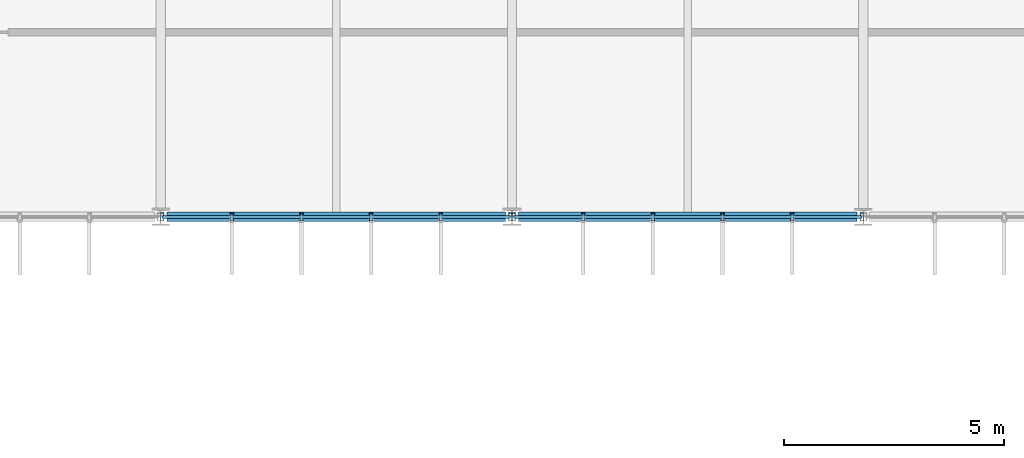
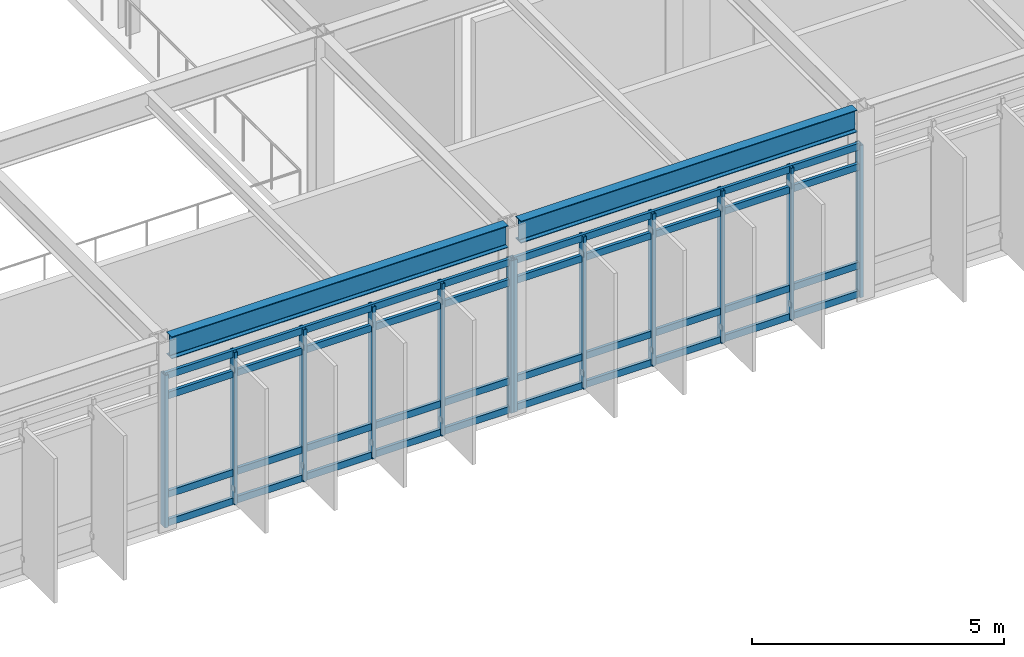
# One storey, part 40 of 104: 20 members, 2 beams, 2 elements without a shape of their own.
"""IFC4 building model written with IfcOpenShell, lengths in metres."""

from ifc_helpers import new_model, si_unit, direction, frame, origin, origin_2d, place, context, subcontext, project, spatial, hollow_rectangle, i_section, extrude, material, material_profile, profile_set, type_object, element, aggregate, save


model = new_model("IFC4")

# Units and contexts
model_context = context("Model", 3, precision=1e-05, world=origin(), true_north=direction((0.0, 1.0)))
body_context = subcontext(model_context, "Body", "Model", "MODEL_VIEW")
ifc_project = project(units=[si_unit("LENGTHUNIT", "METRE"), si_unit("AREAUNIT", "SQUARE_METRE"), si_unit("VOLUMEUNIT", "CUBIC_METRE"), si_unit("PLANEANGLEUNIT", "RADIAN"), si_unit("MASSUNIT", "GRAM", prefix="KILO")], contexts=[model_context])

# Site, building, storey
site_placement = place(None, origin())
site = spatial("IfcSite", under=ifc_project, at=site_placement, CompositionType="ELEMENT")
building_placement = place(site_placement, origin())
building = spatial("IfcBuilding", under=site, at=building_placement, Name="Zulena Civic Courthouse", CompositionType="ELEMENT")
storey_placement = place(building_placement, frame((0.0, 0.0, 15.60009765625)))
storey = spatial("IfcBuildingStorey", under=building, at=storey_placement, Name="L03", CompositionType="ELEMENT", Elevation=15.60009765625)

# Curtain wall, members
ifc_material_1 = material(Name="Double-silver low-E laminated solar-control glass", Category="glass")
curtain_wall_type = type_object("IfcCurtainWallType", Name="CW_7928x3690", PredefinedType="USERDEFINED", material=ifc_material_1)
curtain_wall_1_placement = place(storey_placement, origin())
curtain_wall_1 = element("IfcCurtainWall", 1, at=curtain_wall_1_placement, inside=storey, type_object=curtain_wall_type, Name="cw:V4:L03:3:1", ObjectType="UNITISED CURTAIN WALL", PredefinedType="USERDEFINED")
ifc_material_2 = material(Name="Bronze anodised thermally broken aluminium AA6063-T6", Category="aluminium")
ifc_material_profile_1 = material_profile(ifc_material_2, hollow_rectangle(XDim=0.074951171875, YDim=0.179931640625, WallThickness=0.0048828125, at=origin_2d()), Name="CWM180X75X5")
ifc_profile_set_1 = profile_set([ifc_material_profile_1], Name="Bronze anodised thermally broken aluminium AA6063-T6")
member_type_1 = type_object("IfcMemberType", Name="CWMullion_180x75", PredefinedType="MULLION", material=ifc_profile_set_1)
member_1_placement = place(storey_placement, frame((115.964111328125, 15.199951171875, 0.0), z_axis=(0.0, 0.0, 1.0), x_axis=(1.0, 0.0, 0.0)))
member_1 = element("IfcMember", 2, at=member_1_placement, type_object=member_type_1, Name="cw:V4:L03:3:1:mull:0", PredefinedType="MULLION", context=body_context, shape_type="SweptSolid", body=[
    extrude(hollow_rectangle(XDim=0.074951171875, YDim=0.179931640625, WallThickness=0.0048828125, at=origin_2d()), origin(), (0.0, 0.0, 1.0), 3.68994140625),
])
member_2_placement = place(storey_placement, frame((114.37841796875, 15.199951171875, 0.0), z_axis=(0.0, 0.0, 1.0), x_axis=(1.0, 0.0, 0.0)))
member_2 = element("IfcMember", 3, at=member_2_placement, type_object=member_type_1, Name="cw:V4:L03:3:1:mull:1", PredefinedType="MULLION", context=body_context, shape_type="SweptSolid", body=[
    extrude(hollow_rectangle(XDim=0.074951171875, YDim=0.179931640625, WallThickness=0.0048828125, at=origin_2d()), origin(), (0.0, 0.0, 1.0), 3.68994140625),
])
member_3_placement = place(storey_placement, frame((112.792724609375, 15.199951171875, 0.0), z_axis=(0.0, 0.0, 1.0), x_axis=(1.0, 0.0, 0.0)))
member_3 = element("IfcMember", 4, at=member_3_placement, type_object=member_type_1, Name="cw:V4:L03:3:1:mull:2", PredefinedType="MULLION", context=body_context, shape_type="SweptSolid", body=[
    extrude(hollow_rectangle(XDim=0.074951171875, YDim=0.179931640625, WallThickness=0.0048828125, at=origin_2d()), origin(), (0.0, 0.0, 1.0), 3.68994140625),
])
member_4_placement = place(storey_placement, frame((111.207275390625, 15.199951171875, 0.0), z_axis=(0.0, 0.0, 1.0), x_axis=(1.0, 0.0, 0.0)))
member_4 = element("IfcMember", 5, at=member_4_placement, type_object=member_type_1, Name="cw:V4:L03:3:1:mull:3", PredefinedType="MULLION", context=body_context, shape_type="SweptSolid", body=[
    extrude(hollow_rectangle(XDim=0.074951171875, YDim=0.179931640625, WallThickness=0.0048828125, at=origin_2d()), origin(), (0.0, 0.0, 1.0), 3.68994140625),
])
member_5_placement = place(storey_placement, frame((109.62158203125, 15.199951171875, 0.0), z_axis=(0.0, 0.0, 1.0), x_axis=(1.0, 0.0, 0.0)))
member_5 = element("IfcMember", 6, at=member_5_placement, type_object=member_type_1, Name="cw:V4:L03:3:1:mull:4", PredefinedType="MULLION", context=body_context, shape_type="SweptSolid", body=[
    extrude(hollow_rectangle(XDim=0.074951171875, YDim=0.179931640625, WallThickness=0.0048828125, at=origin_2d()), origin(), (0.0, 0.0, 1.0), 3.68994140625),
])
member_6_placement = place(storey_placement, frame((108.035888671875, 15.199951171875, 0.0), z_axis=(0.0, 0.0, 1.0), x_axis=(1.0, 0.0, 0.0)))
member_6 = element("IfcMember", 7, at=member_6_placement, type_object=member_type_1, Name="cw:V4:L03:3:1:mull:5", PredefinedType="MULLION", context=body_context, shape_type="SweptSolid", body=[
    extrude(hollow_rectangle(XDim=0.074951171875, YDim=0.179931640625, WallThickness=0.0048828125, at=origin_2d()), origin(), (0.0, 0.0, 1.0), 3.68994140625),
])

curtain_wall_2_placement = place(storey_placement, origin())
curtain_wall_2 = element("IfcCurtainWall", 8, at=curtain_wall_2_placement, inside=storey, type_object=curtain_wall_type, Name="cw:V4:L03:3:2", ObjectType="UNITISED CURTAIN WALL", PredefinedType="USERDEFINED")
member_7_placement = place(storey_placement, frame((107.964111328125, 15.199951171875, 0.0), z_axis=(0.0, 0.0, 1.0), x_axis=(1.0, 0.0, 0.0)))
member_7 = element("IfcMember", 9, at=member_7_placement, type_object=member_type_1, Name="cw:V4:L03:3:2:mull:0", PredefinedType="MULLION", context=body_context, shape_type="SweptSolid", body=[
    extrude(hollow_rectangle(XDim=0.074951171875, YDim=0.179931640625, WallThickness=0.0048828125, at=origin_2d()), origin(), (0.0, 0.0, 1.0), 3.68994140625),
])
member_8_placement = place(storey_placement, frame((106.37841796875, 15.199951171875, 0.0), z_axis=(0.0, 0.0, 1.0), x_axis=(1.0, 0.0, 0.0)))
member_8 = element("IfcMember", 10, at=member_8_placement, type_object=member_type_1, Name="cw:V4:L03:3:2:mull:1", PredefinedType="MULLION", context=body_context, shape_type="SweptSolid", body=[
    extrude(hollow_rectangle(XDim=0.074951171875, YDim=0.179931640625, WallThickness=0.0048828125, at=origin_2d()), origin(), (0.0, 0.0, 1.0), 3.68994140625),
])
member_9_placement = place(storey_placement, frame((104.792724609375, 15.199951171875, 0.0), z_axis=(0.0, 0.0, 1.0), x_axis=(1.0, 0.0, 0.0)))
member_9 = element("IfcMember", 11, at=member_9_placement, type_object=member_type_1, Name="cw:V4:L03:3:2:mull:2", PredefinedType="MULLION", context=body_context, shape_type="SweptSolid", body=[
    extrude(hollow_rectangle(XDim=0.074951171875, YDim=0.179931640625, WallThickness=0.0048828125, at=origin_2d()), origin(), (0.0, 0.0, 1.0), 3.68994140625),
])
member_10_placement = place(storey_placement, frame((103.207275390625, 15.199951171875, 0.0), z_axis=(0.0, 0.0, 1.0), x_axis=(1.0, 0.0, 0.0)))
member_10 = element("IfcMember", 12, at=member_10_placement, type_object=member_type_1, Name="cw:V4:L03:3:2:mull:3", PredefinedType="MULLION", context=body_context, shape_type="SweptSolid", body=[
    extrude(hollow_rectangle(XDim=0.074951171875, YDim=0.179931640625, WallThickness=0.0048828125, at=origin_2d()), origin(), (0.0, 0.0, 1.0), 3.68994140625),
])
member_11_placement = place(storey_placement, frame((101.62158203125, 15.199951171875, 0.0), z_axis=(0.0, 0.0, 1.0), x_axis=(1.0, 0.0, 0.0)))
member_11 = element("IfcMember", 13, at=member_11_placement, type_object=member_type_1, Name="cw:V4:L03:3:2:mull:4", PredefinedType="MULLION", context=body_context, shape_type="SweptSolid", body=[
    extrude(hollow_rectangle(XDim=0.074951171875, YDim=0.179931640625, WallThickness=0.0048828125, at=origin_2d()), origin(), (0.0, 0.0, 1.0), 3.68994140625),
])
member_12_placement = place(storey_placement, frame((100.035888671875, 15.199951171875, 0.0), z_axis=(0.0, 0.0, 1.0), x_axis=(1.0, 0.0, 0.0)))
member_12 = element("IfcMember", 14, at=member_12_placement, type_object=member_type_1, Name="cw:V4:L03:3:2:mull:5", PredefinedType="MULLION", context=body_context, shape_type="SweptSolid", body=[
    extrude(hollow_rectangle(XDim=0.074951171875, YDim=0.179931640625, WallThickness=0.0048828125, at=origin_2d()), origin(), (0.0, 0.0, 1.0), 3.68994140625),
])

# Member
ifc_material_profile_2 = material_profile(ifc_material_2, hollow_rectangle(XDim=0.070068359375, YDim=0.1650390625, WallThickness=0.00390625, at=origin_2d()), Name="CWT165X70X4")
ifc_profile_set_2 = profile_set([ifc_material_profile_2], Name="Bronze anodised thermally broken aluminium AA6063-T6")
member_type_2 = type_object("IfcMemberType", Name="CWTransom_165x70", PredefinedType="USERDEFINED", material=ifc_profile_set_2)
member_13_placement = place(storey_placement, frame((115.964111328125, 15.199951171875, 0.059814453125), z_axis=(-1.0, 0.0, 0.0), x_axis=(0.0, -1.0, 0.0)))
member_13 = element("IfcMember", 15, at=member_13_placement, type_object=member_type_2, Name="cw:V4:L03:3:1:tran:0", ObjectType="TRANSOM", PredefinedType="USERDEFINED", context=body_context, shape_type="SweptSolid", body=[
    extrude(hollow_rectangle(XDim=0.070068359375, YDim=0.1650390625, WallThickness=0.00390625, at=origin_2d()), origin(), (0.0, 0.0, 1.0), 7.92822265625),
])

member_14_placement = place(storey_placement, frame((115.964111328125, 15.199951171875, 0.75), z_axis=(-1.0, 0.0, 0.0), x_axis=(0.0, -1.0, 0.0)))
member_14 = element("IfcMember", 16, at=member_14_placement, type_object=member_type_2, Name="cw:V4:L03:3:1:tran:1", ObjectType="TRANSOM", PredefinedType="USERDEFINED", context=body_context, shape_type="SweptSolid", body=[
    extrude(hollow_rectangle(XDim=0.070068359375, YDim=0.1650390625, WallThickness=0.00390625, at=origin_2d()), origin(), (0.0, 0.0, 1.0), 7.92822265625),
])

member_15_placement = place(storey_placement, frame((115.964111328125, 15.199951171875, 3.139892578125), z_axis=(-1.0, 0.0, 0.0), x_axis=(0.0, -1.0, 0.0)))
member_15 = element("IfcMember", 17, at=member_15_placement, type_object=member_type_2, Name="cw:V4:L03:3:1:tran:2", ObjectType="TRANSOM", PredefinedType="USERDEFINED", context=body_context, shape_type="SweptSolid", body=[
    extrude(hollow_rectangle(XDim=0.070068359375, YDim=0.1650390625, WallThickness=0.00390625, at=origin_2d()), origin(), (0.0, 0.0, 1.0), 7.92822265625),
])

member_16_placement = place(storey_placement, frame((115.964111328125, 15.199951171875, 3.6298828125), z_axis=(-1.0, 0.0, 0.0), x_axis=(0.0, -1.0, 0.0)))
member_16 = element("IfcMember", 18, at=member_16_placement, type_object=member_type_2, Name="cw:V4:L03:3:1:tran:3", ObjectType="TRANSOM", PredefinedType="USERDEFINED", context=body_context, shape_type="SweptSolid", body=[
    extrude(hollow_rectangle(XDim=0.070068359375, YDim=0.1650390625, WallThickness=0.00390625, at=origin_2d()), origin(), (0.0, 0.0, 1.0), 7.92822265625),
])

aggregate(curtain_wall_1, [member_1, member_2, member_3, member_4, member_5, member_6, member_13, member_14, member_15, member_16])

member_17_placement = place(storey_placement, frame((107.964111328125, 15.199951171875, 0.059814453125), z_axis=(-1.0, 0.0, 0.0), x_axis=(0.0, -1.0, 0.0)))
member_17 = element("IfcMember", 19, at=member_17_placement, type_object=member_type_2, Name="cw:V4:L03:3:2:tran:0", ObjectType="TRANSOM", PredefinedType="USERDEFINED", context=body_context, shape_type="SweptSolid", body=[
    extrude(hollow_rectangle(XDim=0.070068359375, YDim=0.1650390625, WallThickness=0.00390625, at=origin_2d()), origin(), (0.0, 0.0, 1.0), 7.92822265625),
])

member_18_placement = place(storey_placement, frame((107.964111328125, 15.199951171875, 0.75), z_axis=(-1.0, 0.0, 0.0), x_axis=(0.0, -1.0, 0.0)))
member_18 = element("IfcMember", 20, at=member_18_placement, type_object=member_type_2, Name="cw:V4:L03:3:2:tran:1", ObjectType="TRANSOM", PredefinedType="USERDEFINED", context=body_context, shape_type="SweptSolid", body=[
    extrude(hollow_rectangle(XDim=0.070068359375, YDim=0.1650390625, WallThickness=0.00390625, at=origin_2d()), origin(), (0.0, 0.0, 1.0), 7.92822265625),
])

member_19_placement = place(storey_placement, frame((107.964111328125, 15.199951171875, 3.139892578125), z_axis=(-1.0, 0.0, 0.0), x_axis=(0.0, -1.0, 0.0)))
member_19 = element("IfcMember", 21, at=member_19_placement, type_object=member_type_2, Name="cw:V4:L03:3:2:tran:2", ObjectType="TRANSOM", PredefinedType="USERDEFINED", context=body_context, shape_type="SweptSolid", body=[
    extrude(hollow_rectangle(XDim=0.070068359375, YDim=0.1650390625, WallThickness=0.00390625, at=origin_2d()), origin(), (0.0, 0.0, 1.0), 7.92822265625),
])

member_20_placement = place(storey_placement, frame((107.964111328125, 15.199951171875, 3.6298828125), z_axis=(-1.0, 0.0, 0.0), x_axis=(0.0, -1.0, 0.0)))
member_20 = element("IfcMember", 22, at=member_20_placement, type_object=member_type_2, Name="cw:V4:L03:3:2:tran:3", ObjectType="TRANSOM", PredefinedType="USERDEFINED", context=body_context, shape_type="SweptSolid", body=[
    extrude(hollow_rectangle(XDim=0.070068359375, YDim=0.1650390625, WallThickness=0.00390625, at=origin_2d()), origin(), (0.0, 0.0, 1.0), 7.92822265625),
])

aggregate(curtain_wall_2, [member_7, member_8, member_9, member_10, member_11, member_12, member_17, member_18, member_19, member_20])

# Beams
ifc_material_3 = material(Name="Steel ASTM A992 Grade 50", Category="steel")
ifc_material_profile_3 = material_profile(ifc_material_3, i_section(OverallWidth=0.2099609375, OverallDepth=0.537109375, WebThickness=0.010986328125, FlangeThickness=0.017333984375, FilletRadius=0.0126953125, at=origin_2d()), Name="W21X68")
ifc_profile_set_3 = profile_set([ifc_material_profile_3], Name="Steel ASTM A992 Grade 50")
beam_type = type_object("IfcBeamType", Name="Spandrel_W21X68", PredefinedType="SPANDREL", material=ifc_profile_set_3)
for number, where, z_axis, x_axis, name in (
    (23, (100.14501953125, 15.199951171875, 4.3212890625), (1.0, 0.0, 0.0), (0.0, 1.0, 0.0), "beam:X:V4:L03:15.2:100.0_108.0"),
    (24, (108.14501953125, 15.199951171875, 4.3212890625), (1.0, 0.0, 0.0), (0.0, 1.0, 0.0), "beam:X:V4:L03:15.2:108.0_116.0"),
):
    element("IfcBeam", number, at=place(storey_placement, frame(where, z_axis=z_axis, x_axis=x_axis)), inside=storey, type_object=beam_type, Name=name, PredefinedType="SPANDREL", context=body_context, shape_type="SweptSolid", body=[
        extrude(i_section(OverallWidth=0.2099609375, OverallDepth=0.537109375, WebThickness=0.010986328125, FlangeThickness=0.017333984375, FilletRadius=0.0126953125, at=origin_2d()), origin(), (0.0, 0.0, 1.0), 7.7099609375),
    ])

save(model, "model.ifc")
